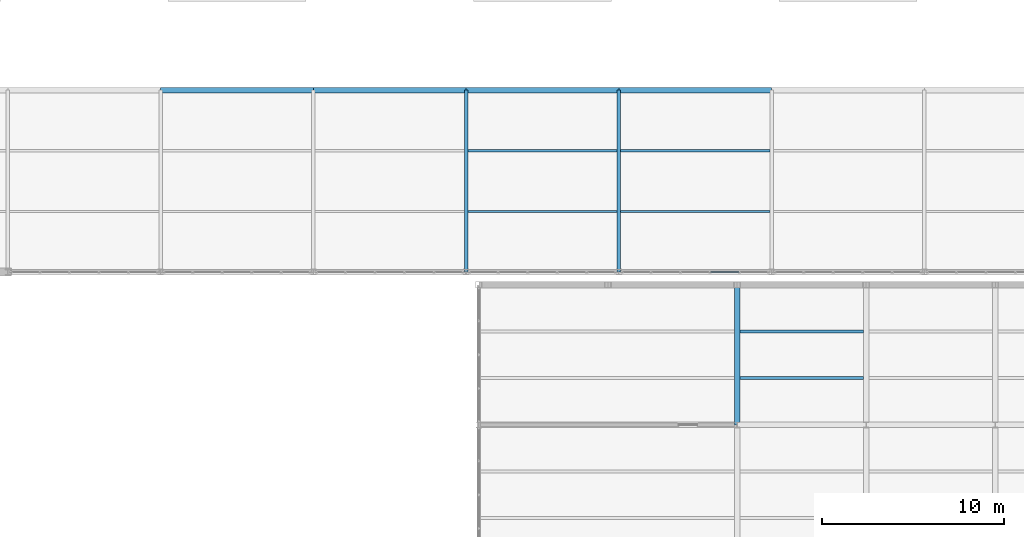
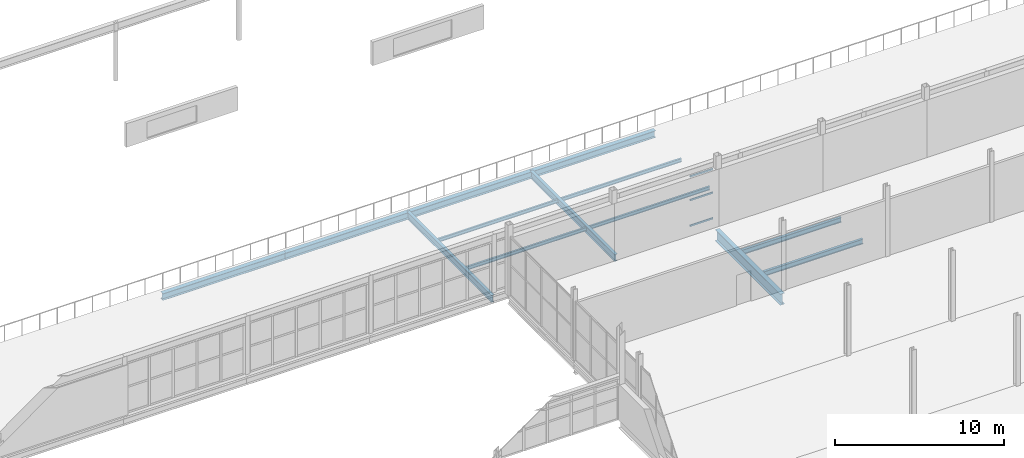
# One storey, part 144 of 218: 13 beams, 3 members, 1 element without a shape of its own.
"""IFC4 building model written with IfcOpenShell, lengths in metres."""

from ifc_helpers import new_model, si_unit, direction, frame, origin, origin_2d, place, context, subcontext, project, spatial, hollow_rectangle, i_section, extrude, material, material_profile, profile_set, type_object, element, aggregate, save


model = new_model("IFC4")

# Units and contexts
model_context = context("Model", 3, precision=1e-05, world=origin(), true_north=direction((0.0, 1.0)))
body_context = subcontext(model_context, "Body", "Model", "MODEL_VIEW")
ifc_project = project(units=[si_unit("LENGTHUNIT", "METRE"), si_unit("AREAUNIT", "SQUARE_METRE"), si_unit("VOLUMEUNIT", "CUBIC_METRE"), si_unit("PLANEANGLEUNIT", "RADIAN"), si_unit("MASSUNIT", "GRAM", prefix="KILO")], contexts=[model_context])

# Site, building, storey
site_placement = place(None, origin())
site = spatial("IfcSite", under=ifc_project, at=site_placement, CompositionType="ELEMENT")
building_placement = place(site_placement, origin())
building = spatial("IfcBuilding", under=site, at=building_placement, Name="Kazenagashi Tramway Depot", CompositionType="ELEMENT")
storey_placement = place(building_placement, frame((0.0, 0.0, 6.0)))
storey = spatial("IfcBuildingStorey", under=building, at=storey_placement, Name="L02", CompositionType="ELEMENT", Elevation=6.0)

# Beams
ifc_material_1 = material(Name="Steel SN490B", Category="steel")
ifc_material_profile_1 = material_profile(ifc_material_1, i_section(OverallWidth=0.2, OverallDepth=0.5, WebThickness=0.01, FlangeThickness=0.016, at=origin_2d()), Name="H-500x200x10x16")
ifc_profile_set_1 = profile_set([ifc_material_profile_1], Name="Steel SN490B")
beam_type_1 = type_object("IfcBeamType", Name="G-05", PredefinedType="BEAM", material=ifc_profile_set_1)
for number, where, z_axis, x_axis, name in (
    (1, (145.6, 70.0, -0.515), (0.0, 1.0, 0.0), (-1.0, 0.0, 0.0), "Beam G-05 BM-1772"),
    (2, (154.0, 70.0, -0.515), (0.0, 1.0, 0.0), (-1.0, 0.0, 0.0), "Beam G-05 BM-1775"),
):
    element("IfcBeam", number, at=place(storey_placement, frame(where, z_axis=z_axis, x_axis=x_axis)), inside=storey, type_object=beam_type_1, Name=name, PredefinedType="BEAM", context=body_context, shape_type="SweptSolid", body=[
        extrude(i_section(OverallWidth=0.2, OverallDepth=0.5, WebThickness=0.01, FlangeThickness=0.016, at=origin_2d()), origin(), (0.0, 0.0, 1.0), 10.0),
    ])
ifc_material_profile_2 = material_profile(ifc_material_1, i_section(OverallWidth=0.3, OverallDepth=0.8, WebThickness=0.014, FlangeThickness=0.026, at=origin_2d()), Name="H-800x300x14x26")
ifc_profile_set_2 = profile_set([ifc_material_profile_2], Name="Steel SN490B")
beam_type_2 = type_object("IfcBeamType", Name="G-07", PredefinedType="BEAM", material=ifc_profile_set_2)
beam_placement = place(storey_placement, frame((160.5, 61.6, -0.68), z_axis=(0.0, 1.0, 0.0), x_axis=(-1.0, 0.0, 0.0)))
element("IfcBeam", 3, at=beam_placement, inside=storey, type_object=beam_type_2, Name="Beam G-07 BM-1280", PredefinedType="BEAM", context=body_context, shape_type="SweptSolid", body=[
    extrude(i_section(OverallWidth=0.3, OverallDepth=0.8, WebThickness=0.014, FlangeThickness=0.026, at=origin_2d()), origin(), (0.0, 0.0, 1.0), 7.7),
])
ifc_material_2 = material(Name="Steel SN400B", Category="steel")
ifc_material_profile_3 = material_profile(ifc_material_2, i_section(OverallWidth=0.175, OverallDepth=0.35, WebThickness=0.007, FlangeThickness=0.011, at=origin_2d()), Name="H-350x175x7x11")
ifc_profile_set_3 = profile_set([ifc_material_profile_3], Name="Steel SN400B")
beam_type_3 = type_object("IfcBeamType", Name="J-01", PredefinedType="JOIST", material=ifc_profile_set_3)
for number, where, z_axis, x_axis, name in (
    (4, (160.65, 64.167, -0.455), (1.0, 0.0, 0.0), (0.0, 1.0, 0.0), "Beam J-01 BM-1281"),
    (5, (160.65, 66.733, -0.455), (1.0, 0.0, 0.0), (0.0, 1.0, 0.0), "Beam J-01 BM-1282"),
):
    element("IfcBeam", number, at=place(storey_placement, frame(where, z_axis=z_axis, x_axis=x_axis)), inside=storey, type_object=beam_type_3, Name=name, PredefinedType="JOIST", context=body_context, shape_type="SweptSolid", body=[
        extrude(i_section(OverallWidth=0.175, OverallDepth=0.35, WebThickness=0.007, FlangeThickness=0.011, at=origin_2d()), origin(), (0.0, 0.0, 1.0), 6.8),
    ])
ifc_material_profile_4 = material_profile(ifc_material_2, i_section(OverallWidth=0.125, OverallDepth=0.25, WebThickness=0.006, FlangeThickness=0.009, at=origin_2d()), Name="H-250x125x6x9")
ifc_profile_set_4 = profile_set([ifc_material_profile_4], Name="Steel SN400B")
beam_type_4 = type_object("IfcBeamType", Name="J-03", PredefinedType="JOIST", material=ifc_profile_set_4)
for number, where, z_axis, x_axis, name in (
    (6, (145.7, 73.333, -0.39), (1.0, 0.0, 0.0), (0.0, 1.0, 0.0), "Beam J-03 BM-1773"),
    (7, (145.7, 76.667, -0.39), (1.0, 0.0, 0.0), (0.0, 1.0, 0.0), "Beam J-03 BM-1774"),
    (8, (154.1, 73.333, -0.39), (1.0, 0.0, 0.0), (0.0, 1.0, 0.0), "Beam J-03 BM-1776"),
    (9, (154.1, 76.667, -0.39), (1.0, 0.0, 0.0), (0.0, 1.0, 0.0), "Beam J-03 BM-1777"),
):
    element("IfcBeam", number, at=place(storey_placement, frame(where, z_axis=z_axis, x_axis=x_axis)), inside=storey, type_object=beam_type_4, Name=name, PredefinedType="JOIST", context=body_context, shape_type="SweptSolid", body=[
        extrude(i_section(OverallWidth=0.125, OverallDepth=0.25, WebThickness=0.006, FlangeThickness=0.009, at=origin_2d()), origin(), (0.0, 0.0, 1.0), 8.2),
    ])
ifc_material_profile_5 = material_profile(ifc_material_1, i_section(OverallWidth=0.3, OverallDepth=0.488, WebThickness=0.011, FlangeThickness=0.018, at=origin_2d()), Name="H-488x300x11x18")
ifc_profile_set_5 = profile_set([ifc_material_profile_5], Name="Steel SN490B")
beam_type_5 = type_object("IfcBeamType", Name="SP-02", PredefinedType="SPANDREL", material=ifc_profile_set_5)
for number, where, z_axis, x_axis, name in (
    (10, (128.8, 80.0, -0.509), (1.0, 0.0, 0.0), (0.0, 1.0, 0.0), "Beam SP-02 BM-1729"),
    (11, (137.2, 80.0, -0.509), (1.0, 0.0, 0.0), (0.0, 1.0, 0.0), "Beam SP-02 BM-1730"),
    (12, (145.6, 80.0, -0.509), (1.0, 0.0, 0.0), (0.0, 1.0, 0.0), "Beam SP-02 BM-1731"),
    (13, (154.0, 80.0, -0.509), (1.0, 0.0, 0.0), (0.0, 1.0, 0.0), "Beam SP-02 BM-1732"),
):
    element("IfcBeam", number, at=place(storey_placement, frame(where, z_axis=z_axis, x_axis=x_axis)), inside=storey, type_object=beam_type_5, Name=name, PredefinedType="SPANDREL", context=body_context, shape_type="SweptSolid", body=[
        extrude(i_section(OverallWidth=0.3, OverallDepth=0.488, WebThickness=0.011, FlangeThickness=0.018, at=origin_2d()), origin(), (0.0, 0.0, 1.0), 8.4),
    ])

# Curtain wall, members
ifc_material_3 = material(Name="Anodised Aluminium and Low-E Glazing", Category="aluminium")
curtain_wall_type = type_object("IfcCurtainWallType", Name="CW-11", PredefinedType="USERDEFINED", material=ifc_material_3)
curtain_wall_placement = place(storey_placement, origin())
curtain_wall = element("IfcCurtainWall", 14, at=curtain_wall_placement, inside=storey, type_object=curtain_wall_type, Name="Industrial Glazed Screen CW-11 CW-0046", ObjectType="GLAZED SCREEN", PredefinedType="USERDEFINED")
ifc_material_4 = material(Name="Anodised Aluminium", Category="aluminium")
ifc_material_profile_6 = material_profile(ifc_material_4, hollow_rectangle(XDim=0.06, YDim=0.12, WallThickness=0.004, at=origin_2d()), Name="RHS-120x60x4")
ifc_profile_set_6 = profile_set([ifc_material_profile_6], Name="Anodised Aluminium")
member_type = type_object("IfcMemberType", Name="TR-01", PredefinedType="USERDEFINED", material=ifc_profile_set_6)
member_1_placement = place(storey_placement, frame((159.042, 70.0, 0.03), z_axis=(1.0, 0.0, 0.0), x_axis=(0.0, 1.0, 0.0)))
member_1 = element("IfcMember", 15, at=member_1_placement, type_object=member_type, Name="CW-11 transom 4.1", ObjectType="TRANSOM", PredefinedType="USERDEFINED", context=body_context, shape_type="SweptSolid", body=[
    extrude(hollow_rectangle(XDim=0.06, YDim=0.12, WallThickness=0.004, at=origin_2d()), origin(), (0.0, 0.0, 1.0), 1.564),
])
member_2_placement = place(storey_placement, frame((159.042, 70.0, 1.878), z_axis=(1.0, 0.0, 0.0), x_axis=(0.0, 1.0, 0.0)))
member_2 = element("IfcMember", 16, at=member_2_placement, type_object=member_type, Name="CW-11 transom 4.2", ObjectType="TRANSOM", PredefinedType="USERDEFINED", context=body_context, shape_type="SweptSolid", body=[
    extrude(hollow_rectangle(XDim=0.06, YDim=0.12, WallThickness=0.004, at=origin_2d()), origin(), (0.0, 0.0, 1.0), 1.564),
])
member_3_placement = place(storey_placement, frame((159.042, 70.0, 3.582), z_axis=(1.0, 0.0, 0.0), x_axis=(0.0, 1.0, 0.0)))
member_3 = element("IfcMember", 17, at=member_3_placement, type_object=member_type, Name="CW-11 transom 4.3", ObjectType="TRANSOM", PredefinedType="USERDEFINED", context=body_context, shape_type="SweptSolid", body=[
    extrude(hollow_rectangle(XDim=0.06, YDim=0.12, WallThickness=0.004, at=origin_2d()), origin(), (0.0, 0.0, 1.0), 1.564),
])
aggregate(curtain_wall, [member_1, member_2, member_3])

save(model, "model.ifc")
